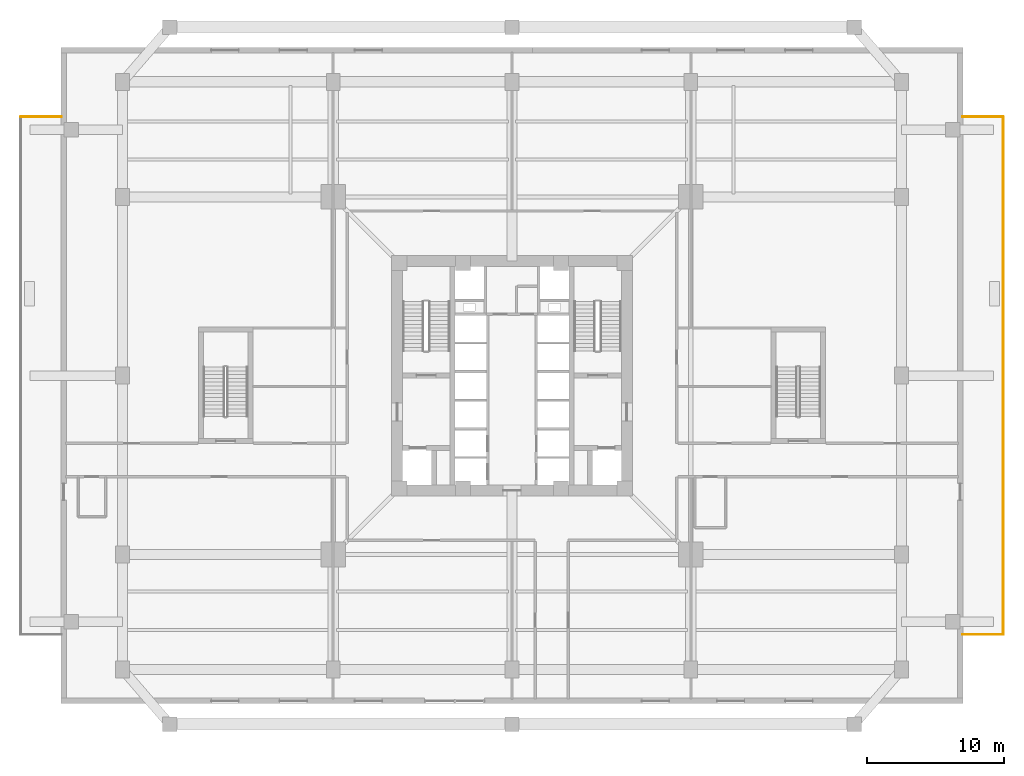
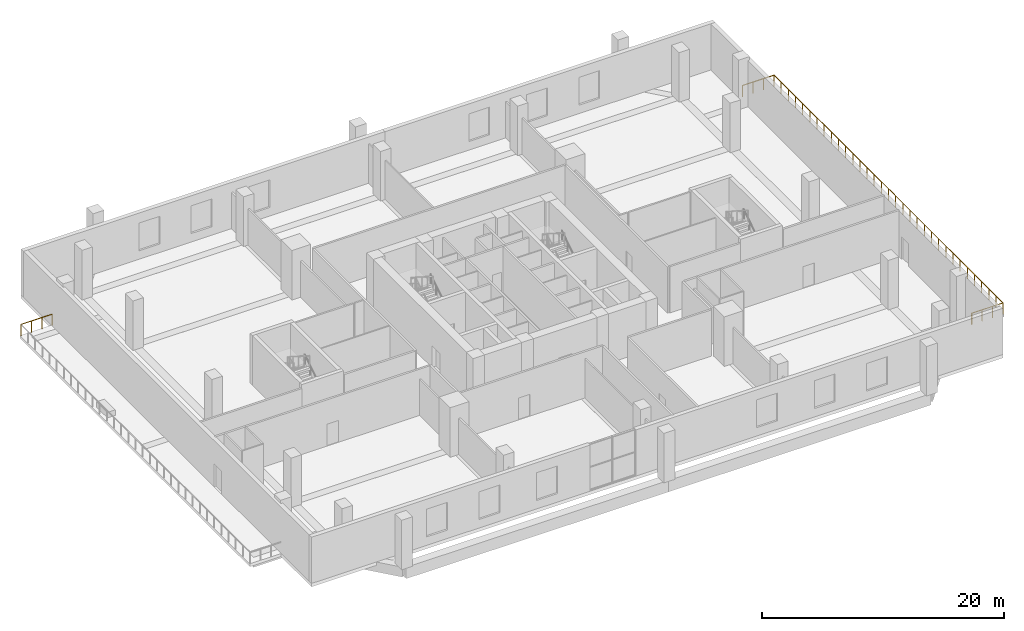
# One storey, part 14 of 14: 4 railings.
"""IFC4 building model written with IfcOpenShell, lengths in metres."""

from ifc_helpers import new_model, si_unit, direction, frame, origin, origin_2d, place, context, subcontext, project, spatial, circle, extrude, source, transform, mapped, material, type_object, element, save


model = new_model("IFC4")

# Units and contexts
model_context = context("Model", 3, precision=1e-05, world=origin(), true_north=direction((0.0, 1.0)))
body_context = subcontext(model_context, "Body", "Model", "MODEL_VIEW")
ifc_project = project(units=[si_unit("LENGTHUNIT", "METRE"), si_unit("AREAUNIT", "SQUARE_METRE"), si_unit("VOLUMEUNIT", "CUBIC_METRE"), si_unit("PLANEANGLEUNIT", "RADIAN"), si_unit("MASSUNIT", "GRAM", prefix="KILO"), si_unit("THERMODYNAMICTEMPERATUREUNIT", "KELVIN")], contexts=[model_context])

# Site, building, storey
site_placement = place(None, origin())
site = spatial("IfcSite", under=ifc_project, at=site_placement, CompositionType="ELEMENT")
building_placement = place(site_placement, origin())
building = spatial("IfcBuilding", under=site, at=building_placement, Name="Kosmvard Interchange Tower", CompositionType="ELEMENT")
storey_placement = place(building_placement, frame((0.0, 0.0, 16.0)))
storey = spatial("IfcBuildingStorey", under=building, at=storey_placement, Name="L03", CompositionType="ELEMENT", Elevation=16.0)

# Railings
ifc_material = material(Name="Steel S355", Category="steel")
railing_type = type_object("IfcRailingType", Name="Observation & Balcony Glass-Infill Balustrade 1150", PredefinedType="BALUSTRADE", material=ifc_material)
shared_shape_1 = source(origin(), body_context, "Body", "SweptSolid", [
    extrude(circle(Radius=0.02392578125, at=origin_2d()), frame((0.0, 0.0, 1.1259765625), z_axis=(-1.0, 0.0, 0.0), x_axis=(0.0, -1.0, 0.0)), (0.0, 0.0, 1.0), 3.0),
    extrude(circle(Radius=0.02099609375, at=origin_2d()), origin(), (0.0, 0.0, 1.0), 1.101806640625),
    extrude(circle(Radius=0.02099609375, at=origin_2d()), frame((-1.0, 0.0, 0.0)), (0.0, 0.0, 1.0), 1.101806640625),
    extrude(circle(Radius=0.02099609375, at=origin_2d()), frame((-2.0, 0.0, 0.0)), (0.0, 0.0, 1.0), 1.101806640625),
    extrude(circle(Radius=0.02099609375, at=origin_2d()), frame((-3.0, 0.0, 0.0)), (0.0, 0.0, 1.0), 1.101806640625),
])
railing_1_placement = place(storey_placement, frame((35.949951171875, 18.949951171875, 0.0)))
element("IfcRailing", 1, at=railing_1_placement, inside=storey, type_object=railing_type, Name="L03 Outdoor Terrace Guard TER-L03-E-C", PredefinedType="BALUSTRADE", context=body_context, shape_type="MappedRepresentation", body=[
    mapped(shared_shape_1, transform((0.0, 0.0, 0.0), scale=1.0)),
])
shared_shape_2 = source(origin(), body_context, "Body", "SweptSolid", [
    extrude(circle(Radius=0.02392578125, at=origin_2d()), frame((0.0, 0.0, 1.1259765625), z_axis=(1.0, 0.0, 0.0), x_axis=(0.0, 1.0, 0.0)), (0.0, 0.0, 1.0), 3.0),
    extrude(circle(Radius=0.02099609375, at=origin_2d()), origin(), (0.0, 0.0, 1.0), 1.101806640625),
    extrude(circle(Radius=0.02099609375, at=origin_2d()), frame((1.0, 0.0, 0.0)), (0.0, 0.0, 1.0), 1.101806640625),
    extrude(circle(Radius=0.02099609375, at=origin_2d()), frame((2.0, 0.0, 0.0)), (0.0, 0.0, 1.0), 1.101806640625),
    extrude(circle(Radius=0.02099609375, at=origin_2d()), frame((3.0, 0.0, 0.0)), (0.0, 0.0, 1.0), 1.101806640625),
])
for number, where, name in (
    (2, (-35.949951171875, 18.949951171875, 0.0), "L03 Outdoor Terrace Guard TER-L03-W-C"),
    (3, (32.949951171875, -18.949951171875, 0.0), "L03 Outdoor Terrace Guard TER-L03-E-A"),
):
    element("IfcRailing", number, at=place(storey_placement, frame(where)), inside=storey, type_object=railing_type, Name=name, PredefinedType="BALUSTRADE", context=body_context, shape_type="MappedRepresentation", body=[
        mapped(shared_shape_2, transform((0.0, 0.0, 0.0), scale=1.0)),
    ])
shared_shape_3 = source(origin(), body_context, "Body", "SweptSolid", [
    extrude(circle(Radius=0.02392578125, at=origin_2d()), frame((0.0, 0.0, 1.1259765625), z_axis=(0.0, 1.0, 0.0), x_axis=(-1.0, 0.0, 0.0)), (0.0, 0.0, 1.0), 37.89990234375),
    extrude(circle(Radius=0.02099609375, at=origin_2d()), origin(), (0.0, 0.0, 1.0), 1.101806640625),
    extrude(circle(Radius=0.02099609375, at=origin_2d()), frame((0.0, 1.184326171875, 0.0)), (0.0, 0.0, 1.0), 1.101806640625),
    extrude(circle(Radius=0.02099609375, at=origin_2d()), frame((0.0, 2.36865234375, 0.0)), (0.0, 0.0, 1.0), 1.101806640625),
    extrude(circle(Radius=0.02099609375, at=origin_2d()), frame((0.0, 3.55322265625, 0.0)), (0.0, 0.0, 1.0), 1.101806640625),
    extrude(circle(Radius=0.02099609375, at=origin_2d()), frame((0.0, 4.737548828125, 0.0)), (0.0, 0.0, 1.0), 1.101806640625),
    extrude(circle(Radius=0.02099609375, at=origin_2d()), frame((0.0, 5.921875, 0.0)), (0.0, 0.0, 1.0), 1.101806640625),
    extrude(circle(Radius=0.02099609375, at=origin_2d()), frame((0.0, 7.106201171875, 0.0)), (0.0, 0.0, 1.0), 1.101806640625),
    extrude(circle(Radius=0.02099609375, at=origin_2d()), frame((0.0, 8.29052734375, 0.0)), (0.0, 0.0, 1.0), 1.101806640625),
    extrude(circle(Radius=0.02099609375, at=origin_2d()), frame((0.0, 9.47509765625, 0.0)), (0.0, 0.0, 1.0), 1.101806640625),
    extrude(circle(Radius=0.02099609375, at=origin_2d()), frame((0.0, 10.659423828125, 0.0)), (0.0, 0.0, 1.0), 1.101806640625),
    extrude(circle(Radius=0.02099609375, at=origin_2d()), frame((0.0, 11.84375, 0.0)), (0.0, 0.0, 1.0), 1.101806640625),
    extrude(circle(Radius=0.02099609375, at=origin_2d()), frame((0.0, 13.028076171875, 0.0)), (0.0, 0.0, 1.0), 1.101806640625),
    extrude(circle(Radius=0.02099609375, at=origin_2d()), frame((0.0, 14.21240234375, 0.0)), (0.0, 0.0, 1.0), 1.101806640625),
    extrude(circle(Radius=0.02099609375, at=origin_2d()), frame((0.0, 15.396728515625, 0.0)), (0.0, 0.0, 1.0), 1.101806640625),
    extrude(circle(Radius=0.02099609375, at=origin_2d()), frame((0.0, 16.581298828125, 0.0)), (0.0, 0.0, 1.0), 1.101806640625),
    extrude(circle(Radius=0.02099609375, at=origin_2d()), frame((0.0, 17.765625, 0.0)), (0.0, 0.0, 1.0), 1.101806640625),
    extrude(circle(Radius=0.02099609375, at=origin_2d()), frame((0.0, 18.949951171875, 0.0)), (0.0, 0.0, 1.0), 1.101806640625),
    extrude(circle(Radius=0.02099609375, at=origin_2d()), frame((0.0, 20.13427734375, 0.0)), (0.0, 0.0, 1.0), 1.101806640625),
    extrude(circle(Radius=0.02099609375, at=origin_2d()), frame((0.0, 21.318603515625, 0.0)), (0.0, 0.0, 1.0), 1.101806640625),
    extrude(circle(Radius=0.02099609375, at=origin_2d()), frame((0.0, 22.503173828125, 0.0)), (0.0, 0.0, 1.0), 1.101806640625),
    extrude(circle(Radius=0.02099609375, at=origin_2d()), frame((0.0, 23.6875, 0.0)), (0.0, 0.0, 1.0), 1.101806640625),
    extrude(circle(Radius=0.02099609375, at=origin_2d()), frame((0.0, 24.871826171875, 0.0)), (0.0, 0.0, 1.0), 1.101806640625),
    extrude(circle(Radius=0.02099609375, at=origin_2d()), frame((0.0, 26.05615234375, 0.0)), (0.0, 0.0, 1.0), 1.101806640625),
    extrude(circle(Radius=0.02099609375, at=origin_2d()), frame((0.0, 27.240478515625, 0.0)), (0.0, 0.0, 1.0), 1.101806640625),
    extrude(circle(Radius=0.02099609375, at=origin_2d()), frame((0.0, 28.4248046875, 0.0)), (0.0, 0.0, 1.0), 1.101806640625),
    extrude(circle(Radius=0.02099609375, at=origin_2d()), frame((0.0, 29.609375, 0.0)), (0.0, 0.0, 1.0), 1.101806640625),
    extrude(circle(Radius=0.02099609375, at=origin_2d()), frame((0.0, 30.793701171875, 0.0)), (0.0, 0.0, 1.0), 1.101806640625),
    extrude(circle(Radius=0.02099609375, at=origin_2d()), frame((0.0, 31.97802734375, 0.0)), (0.0, 0.0, 1.0), 1.101806640625),
    extrude(circle(Radius=0.02099609375, at=origin_2d()), frame((0.0, 33.162353515625, 0.0)), (0.0, 0.0, 1.0), 1.101806640625),
    extrude(circle(Radius=0.02099609375, at=origin_2d()), frame((0.0, 34.3466796875, 0.0)), (0.0, 0.0, 1.0), 1.101806640625),
    extrude(circle(Radius=0.02099609375, at=origin_2d()), frame((0.0, 35.53125, 0.0)), (0.0, 0.0, 1.0), 1.101806640625),
    extrude(circle(Radius=0.02099609375, at=origin_2d()), frame((0.0, 36.715576171875, 0.0)), (0.0, 0.0, 1.0), 1.101806640625),
    extrude(circle(Radius=0.02099609375, at=origin_2d()), frame((0.0, 37.89990234375, 0.0)), (0.0, 0.0, 1.0), 1.101806640625),
])
railing_2_placement = place(storey_placement, frame((35.949951171875, -18.949951171875, 0.0)))
element("IfcRailing", 4, at=railing_2_placement, inside=storey, type_object=railing_type, Name="L03 Outdoor Terrace Guard TER-L03-E-B", PredefinedType="BALUSTRADE", context=body_context, shape_type="MappedRepresentation", body=[
    mapped(shared_shape_3, transform((0.0, 0.0, 0.0), scale=1.0)),
])

save(model, "model.ifc")
